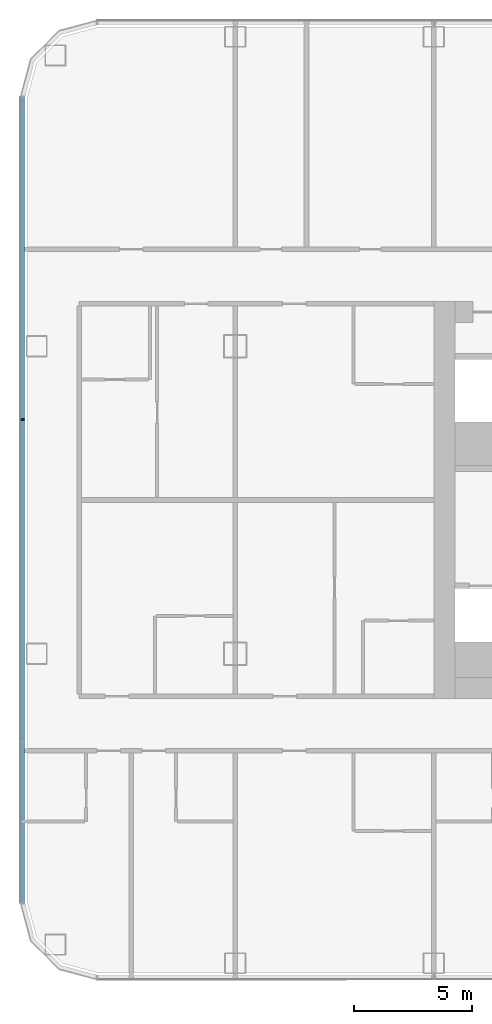
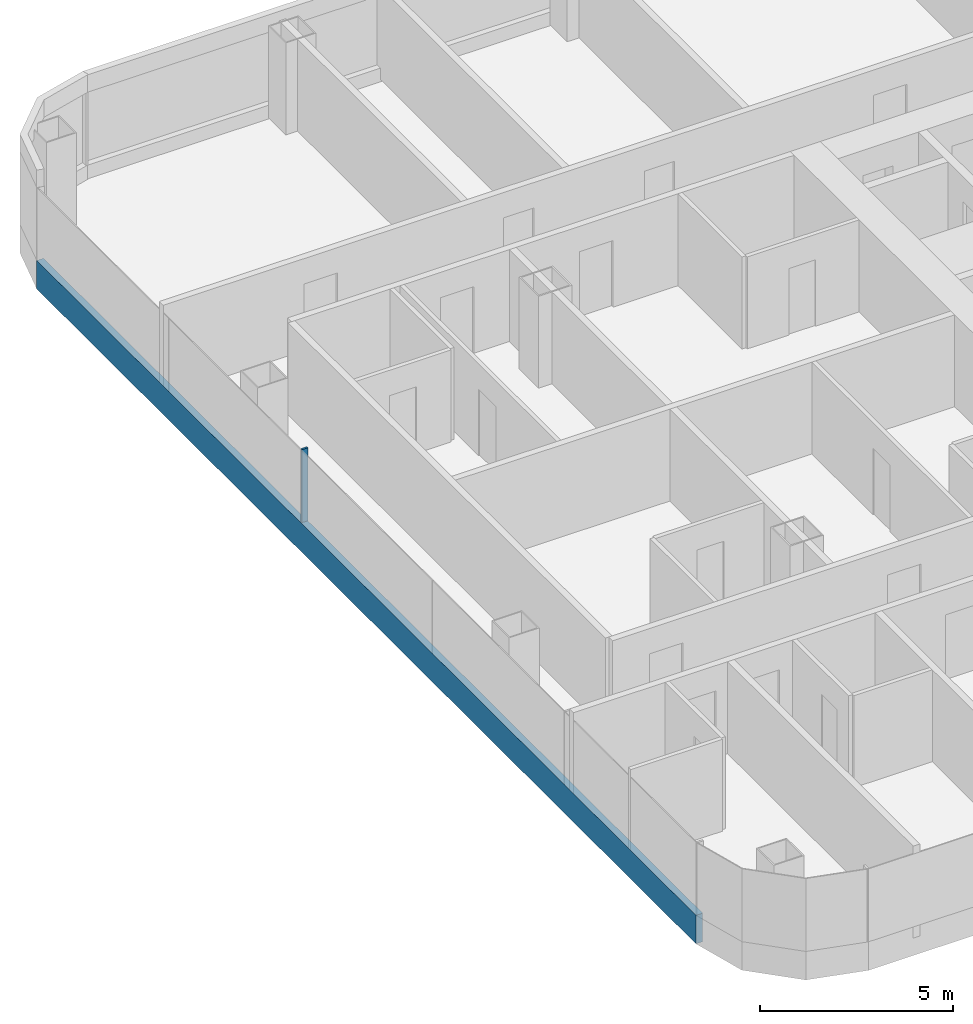
# One storey, part 3 of 29: 2 members, 1 element without a shape of its own.
"""IFC4 building model written with IfcOpenShell, lengths in metres."""

from ifc_helpers import new_model, si_unit, direction, frame, origin, origin_2d, place, context, subcontext, project, spatial, rectangle, extrude, material, layer, layer_set, material_profile, profile_set, type_object, element, aggregate, save


model = new_model("IFC4")

# Units and contexts
model_context = context("Model", 3, precision=1e-05, world=origin(), true_north=direction((0.0, 1.0)))
body_context = subcontext(model_context, "Body", "Model", "MODEL_VIEW")
ifc_project = project(units=[si_unit("LENGTHUNIT", "METRE"), si_unit("AREAUNIT", "SQUARE_METRE"), si_unit("VOLUMEUNIT", "CUBIC_METRE"), si_unit("PLANEANGLEUNIT", "RADIAN"), si_unit("MASSUNIT", "GRAM", prefix="KILO")], contexts=[model_context])

# Site, building, storey
site_placement = place(None, origin())
site = spatial("IfcSite", under=ifc_project, at=site_placement, CompositionType="ELEMENT")
building_placement = place(site_placement, origin())
building = spatial("IfcBuilding", under=site, at=building_placement, Name="Hakoniwa Tower and Hamabe Station Hall", CompositionType="ELEMENT")
storey_placement = place(building_placement, frame((0.0, 0.0, 61.39990234375)))
storey = spatial("IfcBuildingStorey", under=building, at=storey_placement, Name="L17", CompositionType="ELEMENT", Elevation=61.39990234375)

# Curtain wall, members
ifc_material_1 = material(Name="Dark low-e laminated glass", Category="glass")
ifc_layer = layer(ifc_material_1, 0.199951171875)
ifc_layer_set = layer_set([ifc_layer], Name="CW-1 UNITISED GUEST")
curtain_wall_type = type_object("IfcCurtainWallType", Name="CW-1 UNITISED GUEST", PredefinedType="NOTDEFINED", material=ifc_layer_set)
curtain_wall_placement = place(storey_placement, origin())
curtain_wall = element("IfcCurtainWall", 1, at=curtain_wall_placement, inside=storey, type_object=curtain_wall_type, Name="CW-1 curtain wall", PredefinedType="NOTDEFINED")
ifc_material_2 = material(Name="Aluminium 6063-T5 black anodised", Category="aluminium")
ifc_material_profile_1 = material_profile(ifc_material_2, rectangle(XDim=0.199951171875, YDim=0.89990234375, at=origin_2d()), Name="CW SLAB-EDGE BAND 900X200")
ifc_profile_set_1 = profile_set([ifc_material_profile_1], Name="Aluminium 6063-T5 black anodised")
member_type_1 = type_object("IfcMemberType", Name="CW SLAB-EDGE BAND 900X200", PredefinedType="USERDEFINED", material=ifc_profile_set_1)
member_1_placement = place(storey_placement, frame((-51.0, 17.03955078125, -0.099853515625), z_axis=(0.0, -1.0, 0.0), x_axis=(1.0, 0.0, 0.0)))
member_1 = element("IfcMember", 2, at=member_1_placement, type_object=member_type_1, Name="CW-1 transom", ObjectType="TRANSOM", PredefinedType="USERDEFINED", context=body_context, shape_type="SweptSolid", body=[
    extrude(rectangle(XDim=0.199951171875, YDim=0.89990234375, at=origin_2d()), origin(), (0.0, 0.0, 1.0), 34.0791015625),
])
ifc_material_3 = material(Name="Aluminium 6063-T5 black anodised", Category="aluminium")
ifc_material_profile_2 = material_profile(ifc_material_3, rectangle(XDim=0.06005859375, YDim=0.179931640625, at=origin_2d()), Name="CW-1 MULLION 60X180")
ifc_profile_set_2 = profile_set([ifc_material_profile_2], Name="Aluminium 6063-T5 black anodised")
member_type_2 = type_object("IfcMemberType", Name="CW-1 MULLION 60X180", PredefinedType="MULLION", material=ifc_profile_set_2)
member_2_placement = place(storey_placement, frame((-50.98193359375, 3.407958984375, 0.35009765625), z_axis=(0.0, 0.0, 1.0), x_axis=(0.0, -1.0, 0.0)))
member_2 = element("IfcMember", 3, at=member_2_placement, type_object=member_type_2, Name="CW-1 mullion", PredefinedType="MULLION", context=body_context, shape_type="SweptSolid", body=[
    extrude(rectangle(XDim=0.06005859375, YDim=0.179931640625, at=origin_2d()), origin(), (0.0, 0.0, 1.0), 2.300048828125),
])
aggregate(curtain_wall, [member_2, member_1])

save(model, "model.ifc")
